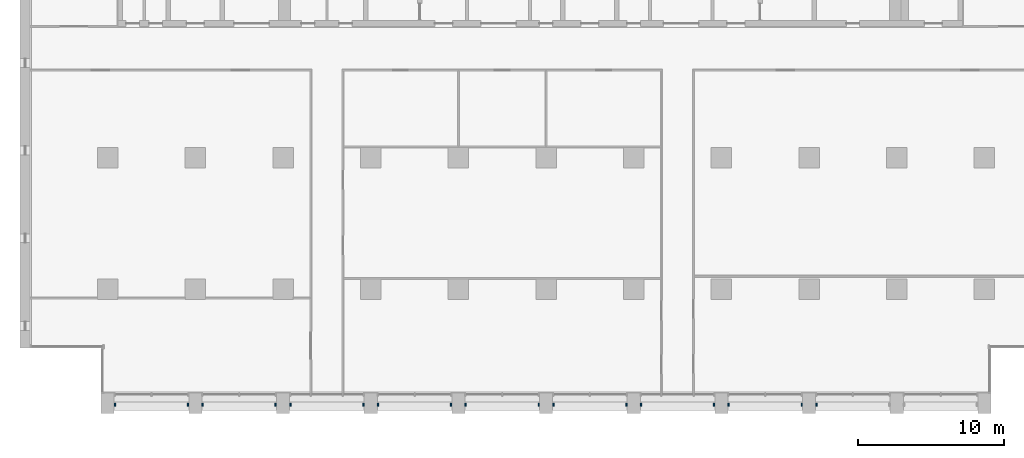
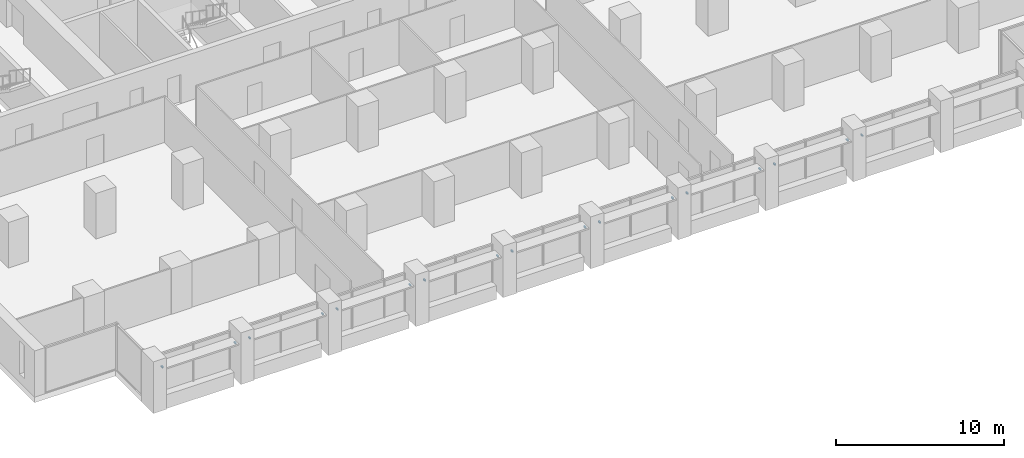
# One storey, part 13 of 15: 17 discrete accessories.
"""IFC4 building model written with IfcOpenShell, lengths in metres."""

from ifc_helpers import new_model, si_unit, direction, frame, origin, origin_2d, place, context, subcontext, project, spatial, rectangle, extrude, element, save


model = new_model("IFC4")

# Units and contexts
model_context = context("Model", 3, precision=1e-05, world=origin(), true_north=direction((0.0, 1.0)))
body_context = subcontext(model_context, "Body", "Model", "MODEL_VIEW")
ifc_project = project(units=[si_unit("LENGTHUNIT", "METRE"), si_unit("AREAUNIT", "SQUARE_METRE"), si_unit("VOLUMEUNIT", "CUBIC_METRE"), si_unit("PLANEANGLEUNIT", "RADIAN"), si_unit("MASSUNIT", "GRAM", prefix="KILO")], contexts=[model_context])

# Site, building, storey
site_placement = place(None, origin())
site = spatial("IfcSite", under=ifc_project, at=site_placement, CompositionType="ELEMENT")
building_placement = place(site_placement, origin())
building = spatial("IfcBuilding", under=site, at=building_placement, Name="Calvaro Tower", CompositionType="ELEMENT")
storey_placement = place(building_placement, frame((0.0, 0.0, 110.0)))
storey = spatial("IfcBuildingStorey", under=building, at=storey_placement, Name="L27", CompositionType="ELEMENT", Elevation=110.0)

# Discrete accessories
for number, where, z_axis, x_axis, name in (
    (1, (6.5, 2.10009765625, 2.25), (0.0, 0.0, 1.0), (1.0, 0.0, 0.0), "Brise-soleil bracket"),
    (2, (11.5, 2.10009765625, 2.25), (0.0, 0.0, 1.0), (1.0, 0.0, 0.0), "Brise-soleil bracket"),
    (3, (12.5, 2.10009765625, 2.25), (0.0, 0.0, 1.0), (1.0, 0.0, 0.0), "Brise-soleil bracket"),
    (4, (17.5, 2.10009765625, 2.25), (0.0, 0.0, 1.0), (1.0, 0.0, 0.0), "Brise-soleil bracket"),
    (5, (18.5, 2.10009765625, 2.25), (0.0, 0.0, 1.0), (1.0, 0.0, 0.0), "Brise-soleil bracket"),
    (6, (23.5, 2.10009765625, 2.25), (0.0, 0.0, 1.0), (1.0, 0.0, 0.0), "Brise-soleil bracket"),
    (7, (24.5, 2.10009765625, 2.25), (0.0, 0.0, 1.0), (1.0, 0.0, 0.0), "Brise-soleil bracket"),
    (8, (29.5, 2.10009765625, 2.25), (0.0, 0.0, 1.0), (1.0, 0.0, 0.0), "Brise-soleil bracket"),
    (9, (30.5, 2.10009765625, 2.25), (0.0, 0.0, 1.0), (1.0, 0.0, 0.0), "Brise-soleil bracket"),
    (10, (35.5, 2.10009765625, 2.25), (0.0, 0.0, 1.0), (1.0, 0.0, 0.0), "Brise-soleil bracket"),
    (11, (36.5, 2.10009765625, 2.25), (0.0, 0.0, 1.0), (1.0, 0.0, 0.0), "Brise-soleil bracket"),
    (12, (41.5, 2.10009765625, 2.25), (0.0, 0.0, 1.0), (1.0, 0.0, 0.0), "Brise-soleil bracket"),
    (13, (42.5, 2.10009765625, 2.25), (0.0, 0.0, 1.0), (1.0, 0.0, 0.0), "Brise-soleil bracket"),
    (14, (47.5, 2.10009765625, 2.25), (0.0, 0.0, 1.0), (1.0, 0.0, 0.0), "Brise-soleil bracket"),
    (15, (48.5, 2.10009765625, 2.25), (0.0, 0.0, 1.0), (1.0, 0.0, 0.0), "Brise-soleil bracket"),
    (16, (53.5, 2.10009765625, 2.25), (0.0, 0.0, 1.0), (1.0, 0.0, 0.0), "Brise-soleil bracket"),
    (17, (54.5, 2.10009765625, 2.25), (0.0, 0.0, 1.0), (1.0, 0.0, 0.0), "Brise-soleil bracket"),
):
    element("IfcDiscreteAccessory", number, at=place(storey_placement, frame(where, z_axis=z_axis, x_axis=x_axis)), inside=storey, Name=name, PredefinedType="BRACKET", context=body_context, shape_type="SweptSolid", body=[
        extrude(rectangle(XDim=0.10009765625, YDim=0.199951171875, at=origin_2d()), origin(), (0.0, 0.0, 1.0), 0.10009765625),
    ])

save(model, "model.ifc")
